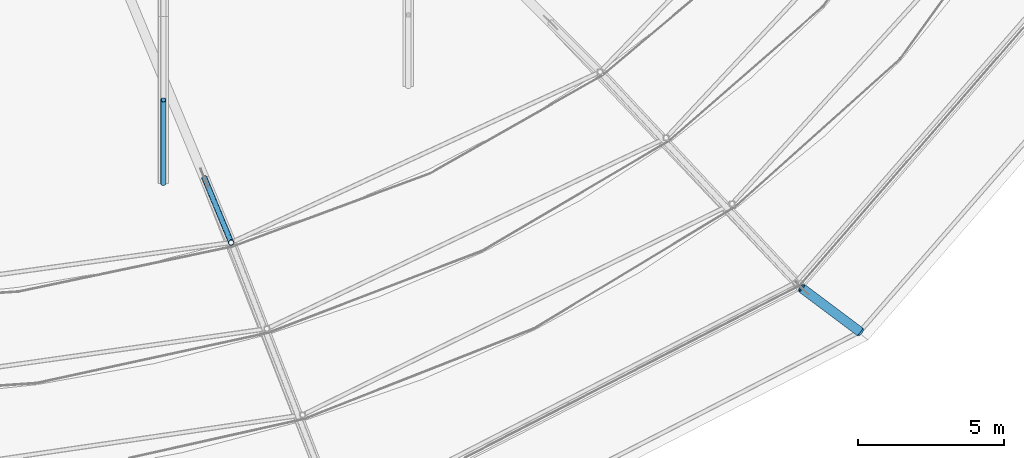
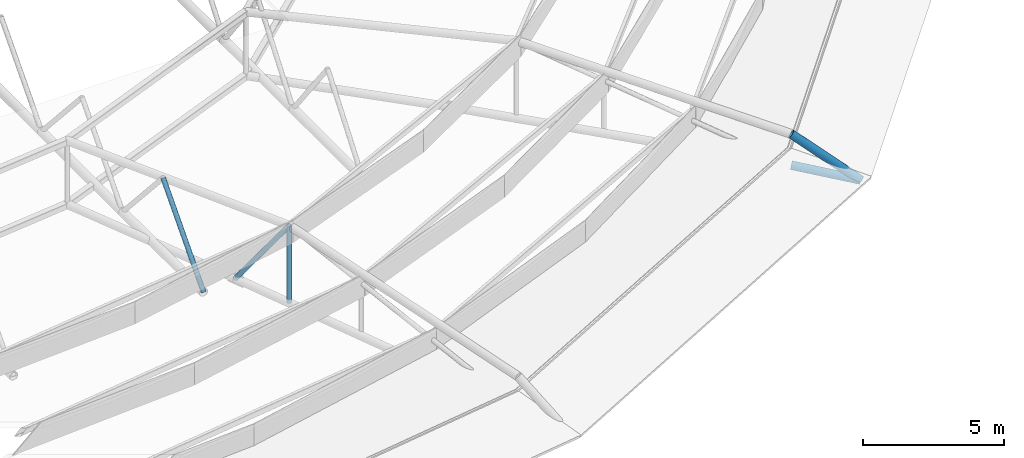
# One storey, part 28 of 134: 5 members.
"""IFC4 building model written with IfcOpenShell, lengths in metres."""

from ifc_helpers import new_model, si_unit, derived_unit, direction, frame, origin, origin_2d, place, context, subcontext, project, spatial, hollow_circle, extrude, material, material_profile, profile_set, type_object, element, save


model = new_model("IFC4")

# Units and contexts
model_context = context("Model", 3, precision=1e-05, world=origin(), true_north=direction((0.0, 1.0)))
body_context = subcontext(model_context, "Body", "Model", "MODEL_VIEW")
ifc_project = project(units=[si_unit("LENGTHUNIT", "METRE"), si_unit("AREAUNIT", "SQUARE_METRE"), si_unit("VOLUMEUNIT", "CUBIC_METRE"), si_unit("PLANEANGLEUNIT", "RADIAN"), si_unit("MASSUNIT", "GRAM", prefix="KILO"), derived_unit("THERMALTRANSMITTANCEUNIT", [(si_unit("MASSUNIT", "GRAM", prefix="KILO"), 1), (si_unit("TIMEUNIT", "SECOND"), -3), (si_unit("THERMODYNAMICTEMPERATUREUNIT", "KELVIN"), -1)])], contexts=[model_context])

# Site, building, storey
site_placement = place(None, origin())
site = spatial("IfcSite", under=ifc_project, at=site_placement, CompositionType="ELEMENT")
building_placement = place(site_placement, origin())
building = spatial("IfcBuilding", under=site, at=building_placement, Name="Kharveza Railside Sports Centre", CompositionType="ELEMENT")
storey_placement = place(building_placement, frame((0.0, 0.0, 12.89990234375)))
storey = spatial("IfcBuildingStorey", under=building, at=storey_placement, Name="L03", CompositionType="ELEMENT", Elevation=12.89990234375)

# Members
ifc_material = material(Name="Steel S355J2", Category="steel")
ifc_material_profile_1 = material_profile(ifc_material, hollow_circle(Radius=0.161865234375, WallThickness=0.01611328125, at=origin_2d()), Name="CHS 323.9x16.0")
ifc_profile_set_1 = profile_set([ifc_material_profile_1], Name="Steel S355J2")
member_type_1 = type_object("IfcMemberType", Name="MB-CH02", PredefinedType="CHORD", material=ifc_profile_set_1)
member_1_placement = place(storey_placement, frame((89.106689453125, 23.883544921875, -0.0498046875), z_axis=(0.788205736048, -0.591105707355, -0.171247658066), x_axis=(0.599968432631, 0.800023674554, 0.0)))
element("IfcMember", 1, at=member_1_placement, inside=storey, type_object=member_type_1, Name="MB-OUT-BC3-15", PredefinedType="CHORD", context=body_context, shape_type="SweptSolid", body=[
    extrude(hollow_circle(Radius=0.161865234375, WallThickness=0.01611328125, at=origin_2d()), origin(), (0.0, 0.0, 1.0), 2.511962890625),
])
member_2_placement = place(storey_placement, frame((89.106689453125, 23.883544921875, 1.300048828125), z_axis=(0.649483085441, -0.487072271967, -0.583894103076), x_axis=(0.599968432631, 0.800023674554, 0.0)))
element("IfcMember", 2, at=member_2_placement, inside=storey, type_object=member_type_1, Name="MB-OUT-TC3-15", PredefinedType="CHORD", context=body_context, shape_type="SweptSolid", body=[
    extrude(hollow_circle(Radius=0.161865234375, WallThickness=0.01611328125, at=origin_2d()), origin(), (0.0, 0.0, 1.0), 3.048583984375),
])
ifc_material_profile_2 = material_profile(ifc_material, hollow_circle(Radius=0.096923828125, WallThickness=0.010009765625, at=origin_2d()), Name="CHS 193.7x10.0")
ifc_profile_set_2 = profile_set([ifc_material_profile_2], Name="Steel S355J2")
member_type_2 = type_object("IfcMemberType", Name="MB-ST02", PredefinedType="STRUT", material=ifc_profile_set_2)
member_3_placement = place(storey_placement, frame((69.524658203125, 25.455322265625, -0.0498046875), z_axis=(0.0, 0.0, 1.0), x_axis=(1.0, 0.0, 0.0)))
element("IfcMember", 3, at=member_3_placement, inside=storey, type_object=member_type_2, Name="MB-LIDPOST-S4-14", PredefinedType="STRUT", context=body_context, shape_type="SweptSolid", body=[
    extrude(hollow_circle(Radius=0.096923828125, WallThickness=0.010009765625, at=origin_2d()), origin(), (0.0, 0.0, 1.0), 3.304931640625),
])
member_4_placement = place(storey_placement, frame((68.606201171875, 27.672607421875, -0.0498046875), z_axis=(0.225096955805, -0.543415883206, 0.80872154563), x_axis=(0.923875488976, 0.382693194178, 0.0)))
element("IfcMember", 4, at=member_4_placement, inside=storey, type_object=member_type_2, Name="MB-OUT-WEB-14-2", PredefinedType="STRUT", context=body_context, shape_type="SweptSolid", body=[
    extrude(hollow_circle(Radius=0.096923828125, WallThickness=0.010009765625, at=origin_2d()), origin(), (0.0, 0.0, 1.0), 4.080322265625),
])
member_5_placement = place(storey_placement, frame((67.199951171875, 27.484619140625, -0.0498046875), z_axis=(0.0, 0.666974298635, 0.745080723788), x_axis=(-1.0, 0.0, 0.0)))
element("IfcMember", 5, at=member_5_placement, inside=storey, type_object=member_type_2, Name="MB-V1TR-D1-5-1", PredefinedType="STRUT", context=body_context, shape_type="SweptSolid", body=[
    extrude(hollow_circle(Radius=0.096923828125, WallThickness=0.010009765625, at=origin_2d()), origin(), (0.0, 0.0, 1.0), 4.294677734375),
])

save(model, "model.ifc")
